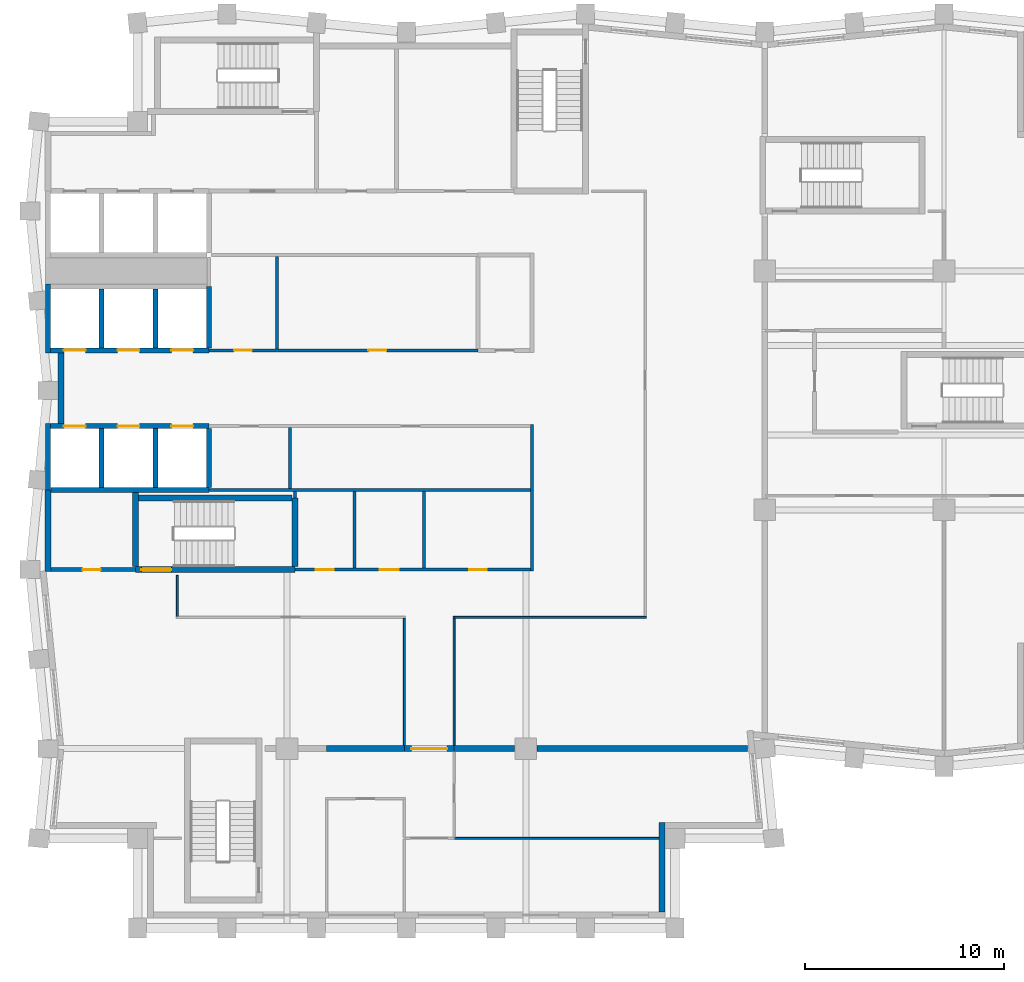
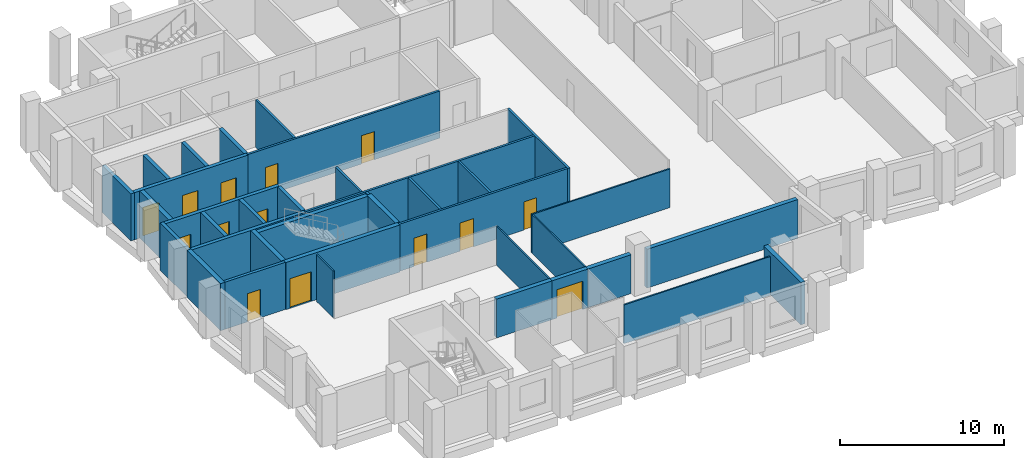
# One storey, part 3 of 7: 37 walls, 14 doors, 14 openings.
"""IFC4 building model written with IfcOpenShell, lengths in metres."""

from ifc_helpers import new_model, si_unit, direction, frame, frame_2d, origin, place, context, subcontext, project, spatial, rectangle, extrude, material, layer, layer_set, type_object, element, fill, save


model = new_model("IFC4")

# Units and contexts
model_context = context("Model", 3, precision=1e-05, world=origin(), true_north=direction((0.0, 1.0)))
body_context = subcontext(model_context, "Body", "Model", "MODEL_VIEW")
ifc_project = project(units=[si_unit("LENGTHUNIT", "METRE"), si_unit("AREAUNIT", "SQUARE_METRE"), si_unit("VOLUMEUNIT", "CUBIC_METRE"), si_unit("PLANEANGLEUNIT", "RADIAN"), si_unit("MASSUNIT", "GRAM", prefix="KILO")], contexts=[model_context])

# Site, building, storey
site_placement = place(None, origin())
site = spatial("IfcSite", under=ifc_project, at=site_placement, CompositionType="ELEMENT")
building_placement = place(site_placement, origin())
building = spatial("IfcBuilding", under=site, at=building_placement, Name="Brondeck Convention Tower", CompositionType="ELEMENT")
storey_placement = place(building_placement, frame((0.0, 0.0, 202.60009765625)))
storey = spatial("IfcBuildingStorey", under=building, at=storey_placement, Name="L49", CompositionType="ELEMENT", Elevation=202.60009765625)

# Wall
ifc_material_1 = material(Name="Concrete compartment wall C30/37", Category="concrete")
ifc_layer_1 = layer(ifc_material_1, 0.300048828125)
ifc_layer_set_1 = layer_set([ifc_layer_1], Name="Compartment wall 300")
wall_type_1 = type_object("IfcWallType", Name="Compartment wall 300", PredefinedType="PARTITIONING", material=ifc_layer_set_1)
wall_1_placement = place(storey_placement, frame((14.0, 27.0, 0.0), z_axis=(0.0, 0.0, 1.0), x_axis=(1.0, 0.0, 0.0)))
element("IfcWall", 1, at=wall_1_placement, inside=storey, type_object=wall_type_1, Name="FLR-L49-W015", PredefinedType="PARTITIONING", context=body_context, shape_type="SweptSolid", body=[
    extrude(rectangle(XDim=3.89990234375, YDim=0.300048828125, at=frame_2d((1.949951171875, 0.0))), origin(), (0.0, 0.0, 1.0), 2.8798828125),
])

# Wall, opening, door
wall_2_placement = place(storey_placement, frame((20.39990234375, 27.0, 0.0), z_axis=(0.0, 0.0, 1.0), x_axis=(-1.0, 0.0, 0.0)))
wall_2 = element("IfcWall", 2, at=wall_2_placement, inside=storey, type_object=wall_type_1, Name="FLR-L49-W016", PredefinedType="PARTITIONING", context=body_context, shape_type="SweptSolid", body=[
    extrude(rectangle(XDim=2.5, YDim=0.300048828125, at=frame_2d((1.25, 0.0))), origin(), (0.0, 0.0, 1.0), 2.8798828125),
])
opening_1_placement = place(wall_2_placement, frame((0.35009765625, 0.0, 0.0)))
opening_1 = element("IfcOpeningElement", 3, at=opening_1_placement, cuts=wall_2, Name="Opening OF-K2-011", PredefinedType="OPENING", context=body_context, shape_type="SweptSolid", body=[
    extrude(rectangle(XDim=1.800048828125, YDim=2.10009765625, at=frame_2d((0.89990234375, 1.050048828125))), frame((0.0, 0.159912109375, 0.0), z_axis=(0.0, -1.0, 0.0), x_axis=(1.0, 0.0, 0.0)), (0.0, 0.0, 1.0), 0.320068359375),
])
ifc_material_2 = material(Name="Steel fire door pair", Category="steel")
door_type_1 = type_object("IfcDoorType", Name="Fire door pair 1800", OperationType="DOUBLE_DOOR_SINGLE_SWING", PredefinedType="DOOR", material=ifc_material_2)
door_1_placement = place(opening_1_placement, origin())
door_1 = element("IfcDoor", 4, at=door_1_placement, inside=storey, type_object=door_type_1, Name="Door OF-K2-011", OperationType="DOUBLE_DOOR_SINGLE_SWING", OverallHeight=2.10009765625, OverallWidth=1.800048828125, PredefinedType="DOOR", context=body_context, shape_type="SweptSolid", body=[
    extrude(rectangle(XDim=1.800048828125, YDim=2.10009765625, at=frame_2d((0.89990234375, 1.050048828125))), frame((0.0, 0.02490234375, 0.0), z_axis=(0.0, -1.0, 0.0), x_axis=(1.0, 0.0, 0.0)), (0.0, 0.0, 1.0), 0.050048828125),
])
fill(opening_1, door_1)

# Walls
wall_3_placement = place(storey_placement, frame((20.39990234375, 27.0, 0.0), z_axis=(0.0, 0.0, 1.0), x_axis=(1.0, 0.0, 0.0)))
element("IfcWall", 5, at=wall_3_placement, inside=storey, type_object=wall_type_1, Name="FLR-L49-W017", PredefinedType="PARTITIONING", context=body_context, shape_type="SweptSolid", body=[
    extrude(rectangle(XDim=3.045166015625, YDim=0.300048828125, at=frame_2d((1.5224609375, 0.0))), origin(), (0.0, 0.0, 1.0), 2.8798828125),
])
wall_4_placement = place(storey_placement, frame((24.554931640625, 27.0, 0.0), z_axis=(0.0, 0.0, 1.0), x_axis=(1.0, 0.0, 0.0)))
element("IfcWall", 6, at=wall_4_placement, inside=storey, type_object=wall_type_1, Name="FLR-L49-W018", PredefinedType="PARTITIONING", context=body_context, shape_type="SweptSolid", body=[
    extrude(rectangle(XDim=10.591064453125, YDim=0.300048828125, at=frame_2d((5.29541015625, 0.0))), origin(), (0.0, 0.0, 1.0), 2.8798828125),
])

# Wall, openings, doors
ifc_material_3 = material(Name="Concrete C50/60", Category="concrete")
ifc_layer_2 = layer(ifc_material_3, 0.14990234375)
ifc_layer_set_2 = layer_set([ifc_layer_2], Name="Core beam-seat wall 150 Concrete C50/60")
wall_type_2 = type_object("IfcWallType", Name="Core beam-seat wall 150 Concrete C50/60", PredefinedType="SHEAR", material=ifc_layer_set_2)
wall_5_placement = place(storey_placement, frame((12.39990234375, 36.0, 0.0), z_axis=(0.0, 0.0, 1.0), x_axis=(1.0, 0.0, 0.0)))
wall_5 = element("IfcWall", 7, at=wall_5_placement, inside=storey, type_object=wall_type_2, Name="L49 core wall", PredefinedType="SHEAR", context=body_context, shape_type="SweptSolid", body=[
    extrude(rectangle(XDim=11.8251953125, YDim=0.14990234375, at=frame_2d((5.91259765625, 0.0))), origin(), (0.0, 0.0, 1.0), 3.5),
])
opening_2_placement = place(wall_5_placement, frame((1.050048828125, 0.0, 0.0)))
opening_2 = element("IfcOpeningElement", 8, at=opening_2_placement, cuts=wall_5, Name="Opening C28-03", PredefinedType="OPENING", context=body_context, shape_type="SweptSolid", body=[
    extrude(rectangle(XDim=0.89990234375, YDim=2.10009765625, at=frame_2d((0.449951171875, 1.050048828125))), frame((0.0, 0.0849609375, 0.0), z_axis=(0.0, -1.0, 0.0), x_axis=(1.0, 0.0, 0.0)), (0.0, 0.0, 1.0), 0.169921875),
])
opening_3_placement = place(wall_5_placement, frame((4.27490234375, 0.0, 0.0)))
opening_3 = element("IfcOpeningElement", 9, at=opening_3_placement, cuts=wall_5, Name="Opening C28-04", PredefinedType="OPENING", context=body_context, shape_type="SweptSolid", body=[
    extrude(rectangle(XDim=0.949951171875, YDim=2.10009765625, at=frame_2d((0.47509765625, 1.050048828125))), frame((0.0, 0.0849609375, 0.0), z_axis=(0.0, -1.0, 0.0), x_axis=(1.0, 0.0, 0.0)), (0.0, 0.0, 1.0), 0.169921875),
])
opening_4_placement = place(wall_5_placement, frame((8.75, 0.0, 0.0)))
opening_4 = element("IfcOpeningElement", 10, at=opening_4_placement, cuts=wall_5, Name="Opening C28-05", PredefinedType="OPENING", context=body_context, shape_type="SweptSolid", body=[
    extrude(rectangle(XDim=0.89990234375, YDim=2.10009765625, at=frame_2d((0.449951171875, 1.050048828125))), frame((0.0, 0.0849609375, 0.0), z_axis=(0.0, -1.0, 0.0), x_axis=(1.0, 0.0, 0.0)), (0.0, 0.0, 1.0), 0.169921875),
])
ifc_material_4 = material(Name="Steel fire door", Category="steel")
door_type_2 = type_object("IfcDoorType", Name="Room door 900x2100 EI 60", OperationType="NOTDEFINED", PredefinedType="DOOR", material=ifc_material_4)
door_2_placement = place(opening_2_placement, origin())
door_2 = element("IfcDoor", 11, at=door_2_placement, inside=storey, type_object=door_type_2, Name="L49 Room door FR-1", OperationType="SINGLE_SWING_RIGHT", OverallHeight=2.10009765625, OverallWidth=0.89990234375, PredefinedType="DOOR", context=body_context, shape_type="SweptSolid", body=[
    extrude(rectangle(XDim=0.89990234375, YDim=2.10009765625, at=frame_2d((0.449951171875, 1.050048828125))), frame((0.0, 0.02490234375, 0.0), z_axis=(0.0, -1.0, 0.0), x_axis=(1.0, 0.0, 0.0)), (0.0, 0.0, 1.0), 0.050048828125),
])
fill(opening_2, door_2)
door_3_placement = place(opening_4_placement, origin())
door_3 = element("IfcDoor", 12, at=door_3_placement, inside=storey, type_object=door_type_2, Name="L49 Room door FR-3", OperationType="SINGLE_SWING_RIGHT", OverallHeight=2.10009765625, OverallWidth=0.89990234375, PredefinedType="DOOR", context=body_context, shape_type="SweptSolid", body=[
    extrude(rectangle(XDim=0.89990234375, YDim=2.10009765625, at=frame_2d((0.449951171875, 1.050048828125))), frame((0.0, 0.02490234375, 0.0), z_axis=(0.0, -1.0, 0.0), x_axis=(1.0, 0.0, 0.0)), (0.0, 0.0, 1.0), 0.050048828125),
])
fill(opening_4, door_3)
door_type_3 = type_object("IfcDoorType", Name="Room door 950x2100 EI 60", OperationType="NOTDEFINED", PredefinedType="DOOR", material=ifc_material_4)
door_4_placement = place(opening_3_placement, origin())
door_4 = element("IfcDoor", 13, at=door_4_placement, inside=storey, type_object=door_type_3, Name="L49 Room door FR-2", OperationType="SINGLE_SWING_LEFT", OverallHeight=2.10009765625, OverallWidth=0.949951171875, PredefinedType="DOOR", context=body_context, shape_type="SweptSolid", body=[
    extrude(rectangle(XDim=0.949951171875, YDim=2.10009765625, at=frame_2d((0.47509765625, 1.050048828125))), frame((0.0, 0.02490234375, 0.0), z_axis=(0.0, -1.0, 0.0), x_axis=(1.0, 0.0, 0.0)), (0.0, 0.0, 1.0), 0.050048828125),
])
fill(opening_3, door_4)

# Walls
ifc_layer_3 = layer(ifc_material_3, 0.300048828125)
ifc_layer_set_3 = layer_set([ifc_layer_3], Name="Core outer wall 300 Concrete C50/60")
wall_type_3 = type_object("IfcWallType", Name="Core outer wall 300 Concrete C50/60", PredefinedType="SHEAR", material=ifc_layer_set_3)
wall_6_placement = place(storey_placement, frame((0.0, 35.89990234375, 0.0), z_axis=(0.0, 0.0, 1.0), x_axis=(0.0, 1.0, 0.0)))
element("IfcWall", 14, at=wall_6_placement, inside=storey, type_object=wall_type_3, Name="L49 core wall", PredefinedType="SHEAR", context=body_context, shape_type="SweptSolid", body=[
    extrude(rectangle(XDim=4.10009765625, YDim=0.300048828125, at=frame_2d((2.050048828125, 0.0))), origin(), (0.0, 0.0, 1.0), 3.5),
])
wall_7_placement = place(storey_placement, frame((0.64990234375, 43.324951171875, 0.0), z_axis=(0.0, 0.0, 1.0), x_axis=(0.0, 1.0, 0.0)))
element("IfcWall", 15, at=wall_7_placement, inside=storey, type_object=wall_type_3, Name="L49 core wall", PredefinedType="SHEAR", context=body_context, shape_type="SweptSolid", body=[
    extrude(rectangle(XDim=3.550048828125, YDim=0.300048828125, at=frame_2d((1.77490234375, 0.0))), origin(), (0.0, 0.0, 1.0), 3.5),
])
ifc_material_5 = material(Name="Fire-rated gypsum board partition")
ifc_layer_4 = layer(ifc_material_5, 0.14990234375)
ifc_layer_set_4 = layer_set([ifc_layer_4], Name="Core partition 150 EI 60")
wall_type_4 = type_object("IfcWallType", Name="Core partition 150 EI 60", PredefinedType="PARTITIONING", material=ifc_layer_set_4)
wall_8_placement = place(storey_placement, frame((8.10009765625, 40.0, 0.0), z_axis=(0.0, 0.0, 1.0), x_axis=(1.0, 0.0, 0.0)))
element("IfcWall", 16, at=wall_8_placement, inside=storey, type_object=wall_type_4, Name="L49 core wall", PredefinedType="PARTITIONING", context=body_context, shape_type="SweptSolid", body=[
    extrude(rectangle(XDim=16.125, YDim=0.14990234375, at=frame_2d((8.0625, 0.0))), origin(), (0.0, 0.0, 1.0), 3.5),
])

# Wall, openings, doors
wall_9_placement = place(storey_placement, frame((8.10009765625, 47.0, 0.0), z_axis=(0.0, 0.0, 1.0), x_axis=(1.0, 0.0, 0.0)))
wall_9 = element("IfcWall", 17, at=wall_9_placement, inside=storey, type_object=wall_type_4, Name="L49 core wall", PredefinedType="PARTITIONING", context=body_context, shape_type="SweptSolid", body=[
    extrude(rectangle(XDim=13.5, YDim=0.14990234375, at=frame_2d((6.75, 0.0))), origin(), (0.0, 0.0, 1.0), 3.5),
])
opening_5_placement = place(wall_9_placement, frame((1.25, 0.0, 0.0)))
opening_5 = element("IfcOpeningElement", 18, at=opening_5_placement, cuts=wall_9, Name="Opening C28-07", PredefinedType="OPENING", context=body_context, shape_type="SweptSolid", body=[
    extrude(rectangle(XDim=0.89990234375, YDim=2.10009765625, at=frame_2d((0.449951171875, 1.050048828125))), frame((0.0, 0.0849609375, 0.0), z_axis=(0.0, -1.0, 0.0), x_axis=(1.0, 0.0, 0.0)), (0.0, 0.0, 1.0), 0.169921875),
])
opening_6_placement = place(wall_9_placement, frame((8.0, 0.0, 0.0)))
opening_6 = element("IfcOpeningElement", 19, at=opening_6_placement, cuts=wall_9, Name="Opening C28-08", PredefinedType="OPENING", context=body_context, shape_type="SweptSolid", body=[
    extrude(rectangle(XDim=0.89990234375, YDim=2.10009765625, at=frame_2d((0.449951171875, 1.050048828125))), frame((0.0, 0.0849609375, 0.0), z_axis=(0.0, -1.0, 0.0), x_axis=(1.0, 0.0, 0.0)), (0.0, 0.0, 1.0), 0.169921875),
])
door_5_placement = place(opening_5_placement, origin())
door_5 = element("IfcDoor", 20, at=door_5_placement, inside=storey, type_object=door_type_2, Name="L49 Room door FZ-N-8.1-1", OperationType="SINGLE_SWING_LEFT", OverallHeight=2.10009765625, OverallWidth=0.89990234375, PredefinedType="DOOR", context=body_context, shape_type="SweptSolid", body=[
    extrude(rectangle(XDim=0.89990234375, YDim=2.10009765625, at=frame_2d((0.449951171875, 1.050048828125))), frame((0.0, 0.02490234375, 0.0), z_axis=(0.0, -1.0, 0.0), x_axis=(1.0, 0.0, 0.0)), (0.0, 0.0, 1.0), 0.050048828125),
])
fill(opening_5, door_5)
door_6_placement = place(opening_6_placement, origin())
door_6 = element("IfcDoor", 21, at=door_6_placement, inside=storey, type_object=door_type_2, Name="L49 Room door FZ-N-8.1-2", OperationType="SINGLE_SWING_RIGHT", OverallHeight=2.10009765625, OverallWidth=0.89990234375, PredefinedType="DOOR", context=body_context, shape_type="SweptSolid", body=[
    extrude(rectangle(XDim=0.89990234375, YDim=2.10009765625, at=frame_2d((0.449951171875, 1.050048828125))), frame((0.0, 0.02490234375, 0.0), z_axis=(0.0, -1.0, 0.0), x_axis=(1.0, 0.0, 0.0)), (0.0, 0.0, 1.0), 0.050048828125),
])
fill(opening_6, door_6)

# Walls
wall_10_placement = place(storey_placement, frame((11.5, 47.074951171875, 0.0), z_axis=(0.0, 0.0, 1.0), x_axis=(0.0, 1.0, 0.0)))
element("IfcWall", 22, at=wall_10_placement, inside=storey, type_object=wall_type_4, Name="L49 core wall", PredefinedType="PARTITIONING", context=body_context, shape_type="SweptSolid", body=[
    extrude(rectangle(XDim=4.650146484375, YDim=0.14990234375, at=frame_2d((2.3251953125, 0.0))), origin(), (0.0, 0.0, 1.0), 3.5),
])
wall_11_placement = place(storey_placement, frame((12.14990234375, 40.074951171875, 0.0), z_axis=(0.0, 0.0, 1.0), x_axis=(0.0, 1.0, 0.0)))
element("IfcWall", 23, at=wall_11_placement, inside=storey, type_object=wall_type_4, Name="L49 core wall", PredefinedType="PARTITIONING", context=body_context, shape_type="SweptSolid", body=[
    extrude(rectangle(XDim=3.050048828125, YDim=0.14990234375, at=frame_2d((1.52490234375, 0.0))), origin(), (0.0, 0.0, 1.0), 3.5),
])
wall_12_placement = place(storey_placement, frame((12.39990234375, 39.60009765625, 0.0), z_axis=(0.0, 0.0, 1.0), x_axis=(0.0, 1.0, 0.0)))
element("IfcWall", 24, at=wall_12_placement, inside=storey, type_object=wall_type_4, Name="L49 core wall", PredefinedType="PARTITIONING", context=body_context, shape_type="SweptSolid", body=[
    extrude(rectangle(XDim=0.324951171875, YDim=0.14990234375, at=frame_2d((0.16259765625, 0.0))), origin(), (0.0, 0.0, 1.0), 3.5),
])
for number, where, z_axis, x_axis, name in (
    (25, (15.39990234375, 36.074951171875, 0.0), (0.0, 0.0, 1.0), (0.0, 1.0, 0.0), "L49 core wall"),
    (26, (18.89990234375, 36.074951171875, 0.0), (0.0, 0.0, 1.0), (0.0, 1.0, 0.0), "L49 core wall"),
):
    element("IfcWall", number, at=place(storey_placement, frame(where, z_axis=z_axis, x_axis=x_axis)), inside=storey, type_object=wall_type_4, Name=name, PredefinedType="PARTITIONING", context=body_context, shape_type="SweptSolid", body=[
        extrude(rectangle(XDim=3.85009765625, YDim=0.14990234375, at=frame_2d((1.925048828125, 0.0))), origin(), (0.0, 0.0, 1.0), 3.5),
    ])
wall_13_placement = place(storey_placement, frame((24.300048828125, 35.925048828125, 0.0), z_axis=(0.0, 0.0, 1.0), x_axis=(0.0, 1.0, 0.0)))
element("IfcWall", 27, at=wall_13_placement, inside=storey, type_object=wall_type_4, Name="L49 core wall", PredefinedType="PARTITIONING", context=body_context, shape_type="SweptSolid", body=[
    extrude(rectangle(XDim=7.349853515625, YDim=0.14990234375, at=frame_2d((3.6748046875, 0.0))), origin(), (0.0, 0.0, 1.0), 3.5),
])
ifc_material_6 = material(Name="Precast concrete C50/60 bronze finish", Category="concrete")
ifc_layer_5 = layer(ifc_material_6, 0.070068359375, Name="Bronze precast facing")
ifc_material_7 = material(Name="Mineral wool")
ifc_layer_6 = layer(ifc_material_7, 0.159912109375, Name="Insulation")
ifc_material_8 = material(Name="Concrete C35/45", Category="concrete")
ifc_layer_7 = layer(ifc_material_8, 0.070068359375, Name="Backing")
ifc_layer_set_5 = layer_set([ifc_layer_5, ifc_layer_6, ifc_layer_7], Name="External infill wall, precast concrete C50/60 bronze facing")
wall_type_5 = type_object("IfcWallType", Name="External infill wall, precast concrete C50/60 bronze facing", PredefinedType="SOLIDWALL", material=ifc_layer_set_5)
wall_14_placement = place(storey_placement, frame((30.85009765625, 23.300048828125, 0.0), z_axis=(0.0, 0.0, 1.0), x_axis=(0.0, -1.0, 0.0)))
element("IfcWall", 28, at=wall_14_placement, inside=storey, type_object=wall_type_5, Name="ENV-EW-L49-P2-NC-SEB18-01", PredefinedType="SOLIDWALL", context=body_context, shape_type="SweptSolid", body=[
    extrude(rectangle(XDim=4.5, YDim=0.300048828125, at=frame_2d((2.25, 0.0))), origin(), (0.0, 0.0, 1.0), 3.14990234375),
])
ifc_layer_8 = layer(ifc_material_3, 0.25)
ifc_layer_set_6 = layer_set([ifc_layer_8], Name="Lift shaft wall 250 Concrete C50/60")
wall_type_6 = type_object("IfcWallType", Name="Lift shaft wall 250 Concrete C50/60", PredefinedType="SHEAR", material=ifc_layer_set_6)
wall_15_placement = place(storey_placement, frame((0.14990234375, 40.0, 0.0), z_axis=(0.0, 0.0, 1.0), x_axis=(1.0, 0.0, 0.0)))
element("IfcWall", 29, at=wall_15_placement, inside=storey, type_object=wall_type_6, Name="L49 core wall", PredefinedType="SHEAR", context=body_context, shape_type="SweptSolid", body=[
    extrude(rectangle(XDim=7.9501953125, YDim=0.25, at=frame_2d((3.97509765625, 0.0))), origin(), (0.0, 0.0, 1.0), 3.5),
])

# Wall, openings, doors
wall_16_placement = place(storey_placement, frame((0.125, 43.199951171875, 0.0), z_axis=(0.0, 0.0, 1.0), x_axis=(1.0, 0.0, 0.0)))
wall_16 = element("IfcWall", 30, at=wall_16_placement, inside=storey, type_object=wall_type_6, Name="L49 core wall", PredefinedType="SHEAR", context=body_context, shape_type="SweptSolid", body=[
    extrude(rectangle(XDim=7.97509765625, YDim=0.25, at=frame_2d((3.987548828125, 0.0))), origin(), (0.0, 0.0, 1.0), 3.5),
])
opening_7_placement = place(wall_16_placement, frame((0.675048828125, 0.0, 0.0)))
opening_7 = element("IfcOpeningElement", 31, at=opening_7_placement, cuts=wall_16, Name="Opening C28-22", PredefinedType="OPENING", context=body_context, shape_type="SweptSolid", body=[
    extrude(rectangle(XDim=1.10009765625, YDim=2.10009765625, at=frame_2d((0.550048828125, 1.050048828125))), frame((0.0, 0.135009765625, 0.0), z_axis=(0.0, -1.0, 0.0), x_axis=(1.0, 0.0, 0.0)), (0.0, 0.0, 1.0), 0.27001953125),
])
opening_8_placement = place(wall_16_placement, frame((3.375, 0.0, 0.0)))
opening_8 = element("IfcOpeningElement", 32, at=opening_8_placement, cuts=wall_16, Name="Opening C28-23", PredefinedType="OPENING", context=body_context, shape_type="SweptSolid", body=[
    extrude(rectangle(XDim=1.10009765625, YDim=2.10009765625, at=frame_2d((0.550048828125, 1.050048828125))), frame((0.0, 0.135009765625, 0.0), z_axis=(0.0, -1.0, 0.0), x_axis=(1.0, 0.0, 0.0)), (0.0, 0.0, 1.0), 0.27001953125),
])
opening_9_placement = place(wall_16_placement, frame((6.074951171875, 0.0, 0.0)))
opening_9 = element("IfcOpeningElement", 33, at=opening_9_placement, cuts=wall_16, Name="Opening C28-24", PredefinedType="OPENING", context=body_context, shape_type="SweptSolid", body=[
    extrude(rectangle(XDim=1.10009765625, YDim=2.10009765625, at=frame_2d((0.550048828125, 1.050048828125))), frame((0.0, 0.135009765625, 0.0), z_axis=(0.0, -1.0, 0.0), x_axis=(1.0, 0.0, 0.0)), (0.0, 0.0, 1.0), 0.27001953125),
])
ifc_material_9 = material(Name="Stainless steel lift door", Category="steel")
door_type_4 = type_object("IfcDoorType", Name="Lift landing door 1100x2100 EI 180", OperationType="DOUBLE_DOOR_SLIDING", PredefinedType="DOOR", material=ifc_material_9)
door_7_placement = place(opening_7_placement, origin())
door_7 = element("IfcDoor", 34, at=door_7_placement, inside=storey, type_object=door_type_4, Name="L49 Lift landing door HR1", OperationType="DOUBLE_DOOR_SLIDING", OverallHeight=2.10009765625, OverallWidth=1.10009765625, PredefinedType="DOOR", context=body_context, shape_type="SweptSolid", body=[
    extrude(rectangle(XDim=1.10009765625, YDim=2.10009765625, at=frame_2d((0.550048828125, 1.050048828125))), frame((0.0, 0.02490234375, 0.0), z_axis=(0.0, -1.0, 0.0), x_axis=(1.0, 0.0, 0.0)), (0.0, 0.0, 1.0), 0.050048828125),
])
fill(opening_7, door_7)
door_8_placement = place(opening_8_placement, origin())
door_8 = element("IfcDoor", 35, at=door_8_placement, inside=storey, type_object=door_type_4, Name="L49 Lift landing door HR2", OperationType="DOUBLE_DOOR_SLIDING", OverallHeight=2.10009765625, OverallWidth=1.10009765625, PredefinedType="DOOR", context=body_context, shape_type="SweptSolid", body=[
    extrude(rectangle(XDim=1.10009765625, YDim=2.10009765625, at=frame_2d((0.550048828125, 1.050048828125))), frame((0.0, 0.02490234375, 0.0), z_axis=(0.0, -1.0, 0.0), x_axis=(1.0, 0.0, 0.0)), (0.0, 0.0, 1.0), 0.050048828125),
])
fill(opening_8, door_8)
door_9_placement = place(opening_9_placement, origin())
door_9 = element("IfcDoor", 36, at=door_9_placement, inside=storey, type_object=door_type_4, Name="L49 Lift landing door HR3", OperationType="DOUBLE_DOOR_SLIDING", OverallHeight=2.10009765625, OverallWidth=1.10009765625, PredefinedType="DOOR", context=body_context, shape_type="SweptSolid", body=[
    extrude(rectangle(XDim=1.10009765625, YDim=2.10009765625, at=frame_2d((0.550048828125, 1.050048828125))), frame((0.0, 0.02490234375, 0.0), z_axis=(0.0, -1.0, 0.0), x_axis=(1.0, 0.0, 0.0)), (0.0, 0.0, 1.0), 0.050048828125),
])
fill(opening_9, door_9)

wall_17_placement = place(storey_placement, frame((0.125, 47.0, 0.0), z_axis=(0.0, 0.0, 1.0), x_axis=(1.0, 0.0, 0.0)))
wall_17 = element("IfcWall", 37, at=wall_17_placement, inside=storey, type_object=wall_type_6, Name="L49 core wall", PredefinedType="SHEAR", context=body_context, shape_type="SweptSolid", body=[
    extrude(rectangle(XDim=7.97509765625, YDim=0.25, at=frame_2d((3.987548828125, 0.0))), origin(), (0.0, 0.0, 1.0), 3.5),
])
opening_10_placement = place(wall_17_placement, frame((0.675048828125, 0.0, 0.0)))
opening_10 = element("IfcOpeningElement", 38, at=opening_10_placement, cuts=wall_17, Name="Opening C28-25", PredefinedType="OPENING", context=body_context, shape_type="SweptSolid", body=[
    extrude(rectangle(XDim=1.10009765625, YDim=2.10009765625, at=frame_2d((0.550048828125, 1.050048828125))), frame((0.0, 0.135009765625, 0.0), z_axis=(0.0, -1.0, 0.0), x_axis=(1.0, 0.0, 0.0)), (0.0, 0.0, 1.0), 0.27001953125),
])
opening_11_placement = place(wall_17_placement, frame((3.375, 0.0, 0.0)))
opening_11 = element("IfcOpeningElement", 39, at=opening_11_placement, cuts=wall_17, Name="Opening C28-26", PredefinedType="OPENING", context=body_context, shape_type="SweptSolid", body=[
    extrude(rectangle(XDim=1.10009765625, YDim=2.10009765625, at=frame_2d((0.550048828125, 1.050048828125))), frame((0.0, 0.135009765625, 0.0), z_axis=(0.0, -1.0, 0.0), x_axis=(1.0, 0.0, 0.0)), (0.0, 0.0, 1.0), 0.27001953125),
])
opening_12_placement = place(wall_17_placement, frame((6.074951171875, 0.0, 0.0)))
opening_12 = element("IfcOpeningElement", 40, at=opening_12_placement, cuts=wall_17, Name="Opening C28-27", PredefinedType="OPENING", context=body_context, shape_type="SweptSolid", body=[
    extrude(rectangle(XDim=1.10009765625, YDim=2.10009765625, at=frame_2d((0.550048828125, 1.050048828125))), frame((0.0, 0.135009765625, 0.0), z_axis=(0.0, -1.0, 0.0), x_axis=(1.0, 0.0, 0.0)), (0.0, 0.0, 1.0), 0.27001953125),
])
door_10_placement = place(opening_10_placement, origin())
door_10 = element("IfcDoor", 41, at=door_10_placement, inside=storey, type_object=door_type_4, Name="L49 Lift landing door HR4", OperationType="DOUBLE_DOOR_SLIDING", OverallHeight=2.10009765625, OverallWidth=1.10009765625, PredefinedType="DOOR", context=body_context, shape_type="SweptSolid", body=[
    extrude(rectangle(XDim=1.10009765625, YDim=2.10009765625, at=frame_2d((0.550048828125, 1.050048828125))), frame((0.0, 0.02490234375, 0.0), z_axis=(0.0, -1.0, 0.0), x_axis=(1.0, 0.0, 0.0)), (0.0, 0.0, 1.0), 0.050048828125),
])
fill(opening_10, door_10)
door_11_placement = place(opening_11_placement, origin())
door_11 = element("IfcDoor", 42, at=door_11_placement, inside=storey, type_object=door_type_4, Name="L49 Lift landing door HR5", OperationType="DOUBLE_DOOR_SLIDING", OverallHeight=2.10009765625, OverallWidth=1.10009765625, PredefinedType="DOOR", context=body_context, shape_type="SweptSolid", body=[
    extrude(rectangle(XDim=1.10009765625, YDim=2.10009765625, at=frame_2d((0.550048828125, 1.050048828125))), frame((0.0, 0.02490234375, 0.0), z_axis=(0.0, -1.0, 0.0), x_axis=(1.0, 0.0, 0.0)), (0.0, 0.0, 1.0), 0.050048828125),
])
fill(opening_11, door_11)
door_12_placement = place(opening_12_placement, origin())
door_12 = element("IfcDoor", 43, at=door_12_placement, inside=storey, type_object=door_type_4, Name="L49 Lift landing door HR6", OperationType="DOUBLE_DOOR_SLIDING", OverallHeight=2.10009765625, OverallWidth=1.10009765625, PredefinedType="DOOR", context=body_context, shape_type="SweptSolid", body=[
    extrude(rectangle(XDim=1.10009765625, YDim=2.10009765625, at=frame_2d((0.550048828125, 1.050048828125))), frame((0.0, 0.02490234375, 0.0), z_axis=(0.0, -1.0, 0.0), x_axis=(1.0, 0.0, 0.0)), (0.0, 0.0, 1.0), 0.050048828125),
])
fill(opening_12, door_12)

# Walls
wall_18_placement = place(storey_placement, frame((0.0, 40.0, 0.0), z_axis=(0.0, 0.0, 1.0), x_axis=(0.0, 1.0, 0.0)))
element("IfcWall", 44, at=wall_18_placement, inside=storey, type_object=wall_type_6, Name="L49 core wall", PredefinedType="SHEAR", context=body_context, shape_type="SweptSolid", body=[
    extrude(rectangle(XDim=3.324951171875, YDim=0.25, at=frame_2d((1.66259765625, 0.0))), origin(), (0.0, 0.0, 1.0), 3.5),
])
wall_19_placement = place(storey_placement, frame((0.0, 46.875, 0.0), z_axis=(0.0, 0.0, 1.0), x_axis=(0.0, 1.0, 0.0)))
element("IfcWall", 45, at=wall_19_placement, inside=storey, type_object=wall_type_6, Name="L49 core wall", PredefinedType="SHEAR", context=body_context, shape_type="SweptSolid", body=[
    extrude(rectangle(XDim=3.47509765625, YDim=0.25, at=frame_2d((1.737548828125, 0.0))), origin(), (0.0, 0.0, 1.0), 3.5),
])
for number, where, z_axis, x_axis, name in (
    (46, (2.699951171875, 40.125, 0.0), (0.0, 0.0, 1.0), (0.0, 1.0, 0.0), "L49 core wall"),
    (47, (2.699951171875, 47.125, 0.0), (0.0, 0.0, 1.0), (0.0, 1.0, 0.0), "L49 core wall"),
    (48, (5.39990234375, 40.125, 0.0), (0.0, 0.0, 1.0), (0.0, 1.0, 0.0), "L49 core wall"),
    (49, (5.39990234375, 47.125, 0.0), (0.0, 0.0, 1.0), (0.0, 1.0, 0.0), "L49 core wall"),
    (50, (8.10009765625, 40.125, 0.0), (0.0, 0.0, 1.0), (0.0, 1.0, 0.0), "L49 core wall"),
):
    element("IfcWall", number, at=place(storey_placement, frame(where, z_axis=z_axis, x_axis=x_axis)), inside=storey, type_object=wall_type_6, Name=name, PredefinedType="SHEAR", context=body_context, shape_type="SweptSolid", body=[
        extrude(rectangle(XDim=2.949951171875, YDim=0.25, at=frame_2d((1.47509765625, 0.0))), origin(), (0.0, 0.0, 1.0), 3.5),
    ])
wall_20_placement = place(storey_placement, frame((8.10009765625, 47.125, 0.0), z_axis=(0.0, 0.0, 1.0), x_axis=(0.0, 1.0, 0.0)))
element("IfcWall", 51, at=wall_20_placement, inside=storey, type_object=wall_type_6, Name="L49 core wall", PredefinedType="SHEAR", context=body_context, shape_type="SweptSolid", body=[
    extrude(rectangle(XDim=3.074951171875, YDim=0.25, at=frame_2d((1.53759765625, 0.0))), origin(), (0.0, 0.0, 1.0), 3.5),
])

# Wall, opening, door
ifc_layer_9 = layer(ifc_material_5, 0.199951171875)
ifc_layer_set_7 = layer_set([ifc_layer_9], Name="Riser wall 200 EI 120")
wall_type_7 = type_object("IfcWallType", Name="Riser wall 200 EI 120", PredefinedType="PARTITIONING", material=ifc_layer_set_7)
wall_21_placement = place(storey_placement, frame((0.14990234375, 36.0, 0.0), z_axis=(0.0, 0.0, 1.0), x_axis=(1.0, 0.0, 0.0)))
wall_21 = element("IfcWall", 52, at=wall_21_placement, inside=storey, type_object=wall_type_7, Name="L49 core wall", PredefinedType="PARTITIONING", context=body_context, shape_type="SweptSolid", body=[
    extrude(rectangle(XDim=4.25, YDim=0.199951171875, at=frame_2d((2.125, 0.0))), origin(), (0.0, 0.0, 1.0), 3.5),
])
opening_13_placement = place(wall_21_placement, frame((1.60009765625, 0.0, 0.0)))
opening_13 = element("IfcOpeningElement", 53, at=opening_13_placement, cuts=wall_21, Name="Opening C28-06", PredefinedType="OPENING", context=body_context, shape_type="SweptSolid", body=[
    extrude(rectangle(XDim=0.89990234375, YDim=2.10009765625, at=frame_2d((0.449951171875, 1.050048828125))), frame((0.0, 0.10986328125, 0.0), z_axis=(0.0, -1.0, 0.0), x_axis=(1.0, 0.0, 0.0)), (0.0, 0.0, 1.0), 0.219970703125),
])
door_type_5 = type_object("IfcDoorType", Name="Riser door 900x2100 EI 120", OperationType="NOTDEFINED", PredefinedType="DOOR", material=ifc_material_4)
door_13_placement = place(opening_13_placement, origin())
door_13 = element("IfcDoor", 54, at=door_13_placement, inside=storey, type_object=door_type_5, Name="L49 Riser door FRW-1", OperationType="SINGLE_SWING_LEFT", OverallHeight=2.10009765625, OverallWidth=0.89990234375, PredefinedType="DOOR", context=body_context, shape_type="SweptSolid", body=[
    extrude(rectangle(XDim=0.89990234375, YDim=2.10009765625, at=frame_2d((0.449951171875, 1.050048828125))), frame((0.0, 0.02490234375, 0.0), z_axis=(0.0, -1.0, 0.0), x_axis=(1.0, 0.0, 0.0)), (0.0, 0.0, 1.0), 0.050048828125),
])
fill(opening_13, door_13)

# Walls
ifc_material_10 = material(Name="Gypsum board partition on steel studs", Category="steel")
ifc_layer_10 = layer(ifc_material_10, 0.10009765625)
ifc_layer_set_8 = layer_set([ifc_layer_10], Name="Room partition 100")
wall_type_8 = type_object("IfcWallType", Name="Room partition 100", PredefinedType="PARTITIONING", material=ifc_layer_set_8)
wall_22_placement = place(storey_placement, frame((20.39990234375, 22.5, 0.0), z_axis=(0.0, 0.0, 1.0), x_axis=(1.0, 0.0, 0.0)))
element("IfcWall", 55, at=wall_22_placement, inside=storey, type_object=wall_type_8, Name="FLR-L49-W004", PredefinedType="PARTITIONING", context=body_context, shape_type="SweptSolid", body=[
    extrude(rectangle(XDim=10.280029296875, YDim=0.10009765625, at=frame_2d((5.14013671875, 0.0))), origin(), (0.0, 0.0, 1.0), 2.8798828125),
])
for number, where, z_axis, x_axis, name in (
    (56, (17.89990234375, 27.169921875, 0.0), (0.0, 0.0, 1.0), (0.0, 1.0, 0.0), "FLR-L49-W019"),
    (57, (20.39990234375, 33.550048828125, 0.0), (0.0, 0.0, 1.0), (0.0, -1.0, 0.0), "FLR-L49-W024"),
):
    element("IfcWall", number, at=place(storey_placement, frame(where, z_axis=z_axis, x_axis=x_axis)), inside=storey, type_object=wall_type_8, Name=name, PredefinedType="PARTITIONING", context=body_context, shape_type="SweptSolid", body=[
        extrude(rectangle(XDim=6.380126953125, YDim=0.10009765625, at=frame_2d((3.18994140625, 0.0))), origin(), (0.0, 0.0, 1.0), 2.8798828125),
    ])
wall_23_placement = place(storey_placement, frame((30.050048828125, 33.60009765625, 0.0), z_axis=(0.0, 0.0, 1.0), x_axis=(-1.0, 0.0, 0.0)))
element("IfcWall", 58, at=wall_23_placement, inside=storey, type_object=wall_type_8, Name="FLR-L49-W026", PredefinedType="PARTITIONING", context=body_context, shape_type="SweptSolid", body=[
    extrude(rectangle(XDim=9.699951171875, YDim=0.10009765625, at=frame_2d((4.85009765625, 0.0))), origin(), (0.0, 0.0, 1.0), 2.8798828125),
])
wall_24_placement = place(storey_placement, frame((6.5, 33.64990234375, 0.0), z_axis=(0.0, 0.0, 1.0), x_axis=(0.0, 1.0, 0.0)))
element("IfcWall", 59, at=wall_24_placement, inside=storey, type_object=wall_type_8, Name="FLR-L49-W027", PredefinedType="PARTITIONING", context=body_context, shape_type="SweptSolid", body=[
    extrude(rectangle(XDim=2.050048828125, YDim=0.10009765625, at=frame_2d((1.02490234375, 0.0))), origin(), (0.0, 0.0, 1.0), 3.47998046875),
])

# Wall, opening, door
ifc_layer_11 = layer(ifc_material_3, 0.300048828125)
ifc_layer_set_9 = layer_set([ifc_layer_11], Name="Stair enclosure wall 300 Concrete C50/60")
wall_type_9 = type_object("IfcWallType", Name="Stair enclosure wall 300 Concrete C50/60", PredefinedType="SHEAR", material=ifc_layer_set_9)
wall_25_placement = place(storey_placement, frame((4.39990234375, 36.0, 0.0), z_axis=(0.0, 0.0, 1.0), x_axis=(1.0, 0.0, 0.0)))
wall_25 = element("IfcWall", 60, at=wall_25_placement, inside=storey, type_object=wall_type_9, Name="L49 core wall", PredefinedType="SHEAR", context=body_context, shape_type="SweptSolid", body=[
    extrude(rectangle(XDim=8.0, YDim=0.300048828125, at=frame_2d((4.0, 0.0))), origin(), (0.0, 0.0, 1.0), 3.5),
])
opening_14_placement = place(wall_25_placement, frame((0.300048828125, 0.0, 0.0)))
opening_14 = element("IfcOpeningElement", 61, at=opening_14_placement, cuts=wall_25, Name="Opening C28-13", PredefinedType="OPENING", context=body_context, shape_type="SweptSolid", body=[
    extrude(rectangle(XDim=1.5, YDim=2.199951171875, at=frame_2d((0.75, 1.10009765625))), frame((0.0, 0.159912109375, 0.0), z_axis=(0.0, -1.0, 0.0), x_axis=(1.0, 0.0, 0.0)), (0.0, 0.0, 1.0), 0.320068359375),
])
door_type_6 = type_object("IfcDoorType", Name="Stair door 1500x2200 EI 90", OperationType="NOTDEFINED", PredefinedType="DOOR", material=ifc_material_4)
door_14_placement = place(opening_14_placement, origin())
door_14 = element("IfcDoor", 62, at=door_14_placement, inside=storey, type_object=door_type_6, Name="L49 Stair door ST-1", OperationType="SINGLE_SWING_RIGHT", OverallHeight=2.199951171875, OverallWidth=1.5, PredefinedType="DOOR", context=body_context, shape_type="SweptSolid", body=[
    extrude(rectangle(XDim=1.5, YDim=2.199951171875, at=frame_2d((0.75, 1.10009765625))), frame((0.0, 0.02490234375, 0.0), z_axis=(0.0, -1.0, 0.0), x_axis=(1.0, 0.0, 0.0)), (0.0, 0.0, 1.0), 0.050048828125),
])
fill(opening_14, door_14)

# Walls
wall_26_placement = place(storey_placement, frame((4.550048828125, 39.60009765625, 0.0), z_axis=(0.0, 0.0, 1.0), x_axis=(1.0, 0.0, 0.0)))
element("IfcWall", 63, at=wall_26_placement, inside=storey, type_object=wall_type_9, Name="L49 core wall", PredefinedType="SHEAR", context=body_context, shape_type="SweptSolid", body=[
    extrude(rectangle(XDim=7.699951171875, YDim=0.300048828125, at=frame_2d((3.85009765625, 0.0))), origin(), (0.0, 0.0, 1.0), 3.5),
])
wall_27_placement = place(storey_placement, frame((4.39990234375, 36.14990234375, 0.0), z_axis=(0.0, 0.0, 1.0), x_axis=(0.0, 1.0, 0.0)))
element("IfcWall", 64, at=wall_27_placement, inside=storey, type_object=wall_type_9, Name="L49 core wall", PredefinedType="SHEAR", context=body_context, shape_type="SweptSolid", body=[
    extrude(rectangle(XDim=3.72509765625, YDim=0.300048828125, at=frame_2d((1.862548828125, 0.0))), origin(), (0.0, 0.0, 1.0), 3.5),
])
wall_28_placement = place(storey_placement, frame((12.39990234375, 36.14990234375, 0.0), z_axis=(0.0, 0.0, 1.0), x_axis=(0.0, 1.0, 0.0)))
element("IfcWall", 65, at=wall_28_placement, inside=storey, type_object=wall_type_9, Name="L49 core wall", PredefinedType="SHEAR", context=body_context, shape_type="SweptSolid", body=[
    extrude(rectangle(XDim=3.4501953125, YDim=0.300048828125, at=frame_2d((1.72509765625, 0.0))), origin(), (0.0, 0.0, 1.0), 3.5),
])

save(model, "model.ifc")
